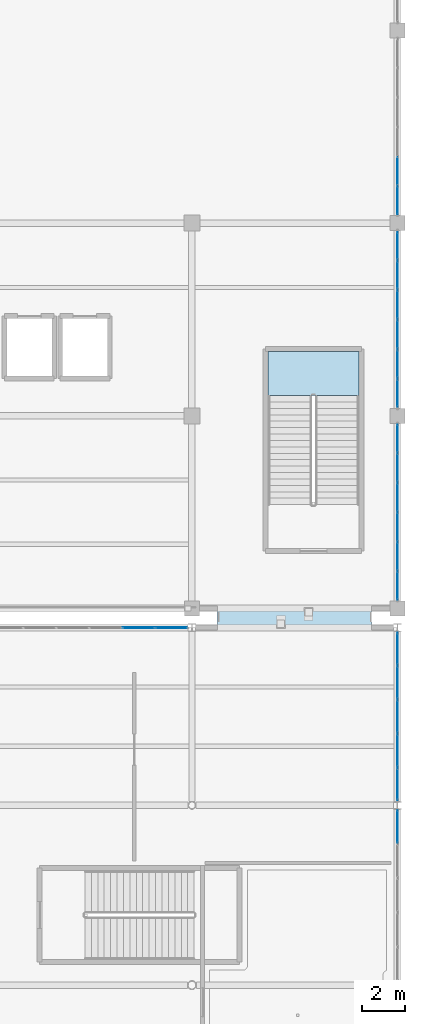
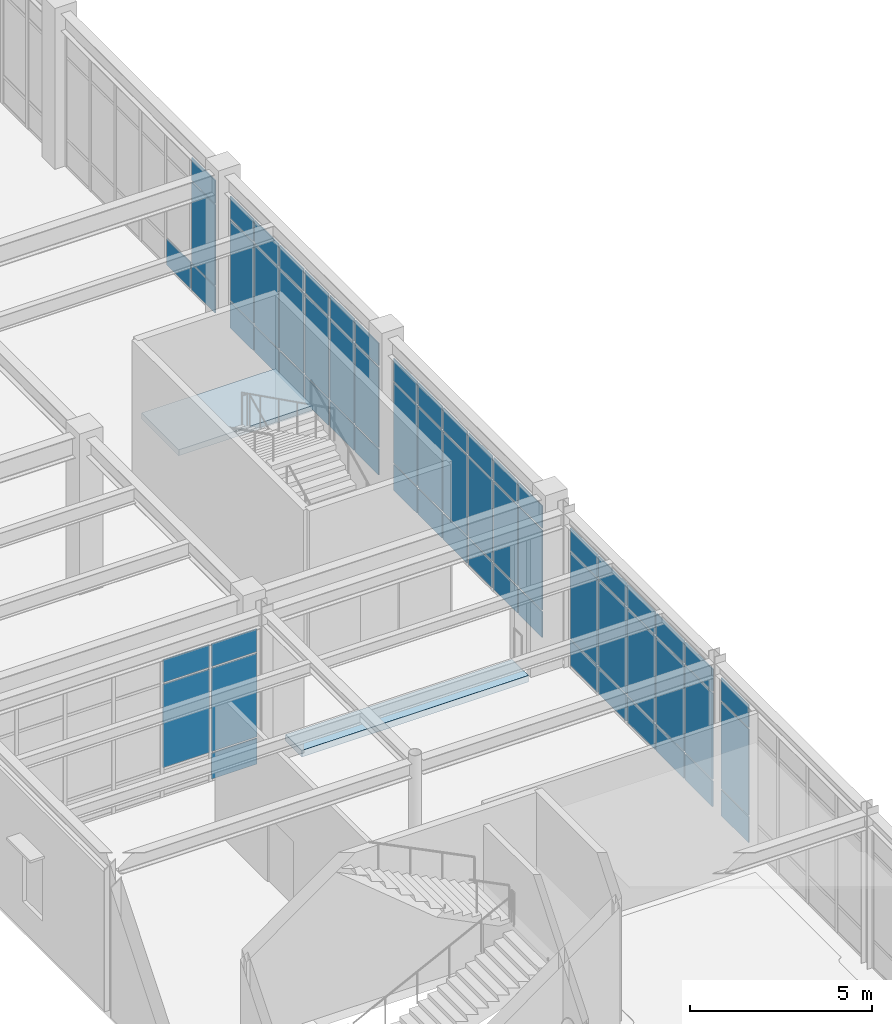
# One storey, part 58 of 80: 63 plates, 2 slabs, 7 elements without a shape of their own.
"""IFC4 building model written with IfcOpenShell, lengths in metres."""

from ifc_helpers import new_model, si_unit, direction, frame, origin, origin_2d, place, context, subcontext, project, spatial, polyline, rectangle, outline, extrude, material, layer, layer_set, type_object, element, aggregate, save


model = new_model("IFC4")

# Units and contexts
model_context = context("Model", 3, precision=1e-05, world=origin(), true_north=direction((0.0, 1.0)))
body_context = subcontext(model_context, "Body", "Model", "MODEL_VIEW")
ifc_project = project(units=[si_unit("LENGTHUNIT", "METRE"), si_unit("AREAUNIT", "SQUARE_METRE"), si_unit("VOLUMEUNIT", "CUBIC_METRE"), si_unit("PLANEANGLEUNIT", "RADIAN"), si_unit("MASSUNIT", "GRAM", prefix="KILO")], contexts=[model_context])

# Site, building, storey
site_placement = place(None, origin())
site = spatial("IfcSite", under=ifc_project, at=site_placement, CompositionType="ELEMENT")
building_placement = place(site_placement, origin())
building = spatial("IfcBuilding", under=site, at=building_placement, Name="Canglan Escarpment Cableway Terminal", CompositionType="ELEMENT")
storey_placement = place(building_placement, frame((0.0, 0.0, 19.199951171875)))
storey = spatial("IfcBuildingStorey", under=building, at=storey_placement, Name="L04", CompositionType="ELEMENT", Elevation=19.199951171875)

# Curtain wall, plates
ifc_material_1 = material(Name="Anodized bronze aluminium and Low-E double glazing", Category="aluminium")
curtain_wall_type_1 = type_object("IfcCurtainWallType", Name="CW-BAY-9250x4650", PredefinedType="NOTDEFINED", material=ifc_material_1)
curtain_wall_1_placement = place(storey_placement, origin())
curtain_wall_1 = element("IfcCurtainWall", 1, at=curtain_wall_1_placement, inside=storey, type_object=curtain_wall_type_1, Name="Classical bay-between-piers glazed curtain wall CW-36", PredefinedType="NOTDEFINED")
ifc_material_2 = material(Name="Double-silver Low-E laminated insulating glass", Category="glass")
ifc_layer_1 = layer(ifc_material_2, 0.028076171875, Name="Double-silver Low-E laminated insulating glass")
ifc_layer_set_1 = layer_set([ifc_layer_1], Name="Double-silver Low-E laminated insulating glass")
plate_type_1 = type_object("IfcPlateType", Name="CWP-02", PredefinedType="CURTAIN_PANEL", material=ifc_layer_set_1)
plate_1_placement = place(storey_placement, frame((155.839111328125, 33.10009765625, 0.05517578125), z_axis=(0.0, 0.0, 1.0), x_axis=(-1.0, 0.0, 0.0)))
plate_1 = element("IfcPlate", 2, at=plate_1_placement, type_object=plate_type_1, Name="CW-36 panel 1.1", PredefinedType="CURTAIN_PANEL", context=body_context, shape_type="SweptSolid", body=[
    extrude(rectangle(XDim=1.45166015625, YDim=0.028076171875, at=origin_2d()), origin(), (0.0, 0.0, 1.0), 0.867431640625),
])
plate_2_placement = place(storey_placement, frame((155.839111328125, 33.10009765625, 0.9775390625), z_axis=(0.0, 0.0, 1.0), x_axis=(-1.0, 0.0, 0.0)))
plate_2 = element("IfcPlate", 3, at=plate_2_placement, type_object=plate_type_1, Name="CW-36 panel 1.2", PredefinedType="CURTAIN_PANEL", context=body_context, shape_type="SweptSolid", body=[
    extrude(rectangle(XDim=1.45166015625, YDim=0.028076171875, at=origin_2d()), origin(), (0.0, 0.0, 1.0), 2.802001953125),
])
plate_3_placement = place(storey_placement, frame((155.839111328125, 33.10009765625, 3.83447265625), z_axis=(0.0, 0.0, 1.0), x_axis=(-1.0, 0.0, 0.0)))
plate_3 = element("IfcPlate", 4, at=plate_3_placement, type_object=plate_type_1, Name="CW-36 panel 1.3", PredefinedType="CURTAIN_PANEL", context=body_context, shape_type="SweptSolid", body=[
    extrude(rectangle(XDim=1.45166015625, YDim=0.028076171875, at=origin_2d()), origin(), (0.0, 0.0, 1.0), 0.767578125),
])
plate_4_placement = place(storey_placement, frame((154.3125, 33.10009765625, 0.9775390625), z_axis=(0.0, 0.0, 1.0), x_axis=(-1.0, 0.0, 0.0)))
plate_4 = element("IfcPlate", 5, at=plate_4_placement, type_object=plate_type_1, Name="CW-36 panel 2.2", PredefinedType="CURTAIN_PANEL", context=body_context, shape_type="SweptSolid", body=[
    extrude(rectangle(XDim=1.481689453125, YDim=0.028076171875, at=origin_2d()), origin(), (0.0, 0.0, 1.0), 2.802001953125),
])
plate_5_placement = place(storey_placement, frame((154.3125, 33.10009765625, 3.83447265625), z_axis=(0.0, 0.0, 1.0), x_axis=(-1.0, 0.0, 0.0)))
plate_5 = element("IfcPlate", 6, at=plate_5_placement, type_object=plate_type_1, Name="CW-36 panel 2.3", PredefinedType="CURTAIN_PANEL", context=body_context, shape_type="SweptSolid", body=[
    extrude(rectangle(XDim=1.481689453125, YDim=0.028076171875, at=origin_2d()), origin(), (0.0, 0.0, 1.0), 0.767578125),
])
aggregate(curtain_wall_1, [plate_1, plate_2, plate_3, plate_4, plate_5])

curtain_wall_type_2 = type_object("IfcCurtainWallType", Name="CW-BAY-8300x4550", PredefinedType="NOTDEFINED", material=ifc_material_1)
curtain_wall_2_placement = place(storey_placement, origin())
curtain_wall_2 = element("IfcCurtainWall", 7, at=curtain_wall_2_placement, inside=storey, type_object=curtain_wall_type_2, Name="Classical bay-between-piers glazed curtain wall CW-64", PredefinedType="NOTDEFINED")
plate_6_placement = place(storey_placement, frame((166.39990234375, 35.057861328125, 0.06005859375), z_axis=(0.0, 0.0, 1.0), x_axis=(0.0, 1.0, 0.0)))
plate_6 = element("IfcPlate", 8, at=plate_6_placement, type_object=plate_type_1, Name="CW-64 panel 1.1", PredefinedType="CURTAIN_PANEL", context=body_context, shape_type="SweptSolid", body=[
    extrude(rectangle(XDim=1.285888671875, YDim=0.028076171875, at=origin_2d()), origin(), (0.0, 0.0, 1.0), 0.860107421875),
])
plate_7_placement = place(storey_placement, frame((166.39990234375, 35.057861328125, 0.97998046875), z_axis=(0.0, 0.0, 1.0), x_axis=(0.0, 1.0, 0.0)))
plate_7 = element("IfcPlate", 9, at=plate_7_placement, type_object=plate_type_1, Name="CW-64 panel 1.2", PredefinedType="CURTAIN_PANEL", context=body_context, shape_type="SweptSolid", body=[
    extrude(rectangle(XDim=1.285888671875, YDim=0.028076171875, at=origin_2d()), origin(), (0.0, 0.0, 1.0), 2.69091796875),
])
plate_8_placement = place(storey_placement, frame((166.39990234375, 35.057861328125, 3.73095703125), z_axis=(0.0, 0.0, 1.0), x_axis=(0.0, 1.0, 0.0)))
plate_8 = element("IfcPlate", 10, at=plate_8_placement, type_object=plate_type_1, Name="CW-64 panel 1.3", PredefinedType="CURTAIN_PANEL", context=body_context, shape_type="SweptSolid", body=[
    extrude(rectangle(XDim=1.285888671875, YDim=0.028076171875, at=origin_2d()), origin(), (0.0, 0.0, 1.0), 0.760009765625),
])
plate_9_placement = place(storey_placement, frame((166.39990234375, 36.425048828125, 0.06005859375), z_axis=(0.0, 0.0, 1.0), x_axis=(0.0, 1.0, 0.0)))
plate_9 = element("IfcPlate", 11, at=plate_9_placement, type_object=plate_type_1, Name="CW-64 panel 2.1", PredefinedType="CURTAIN_PANEL", context=body_context, shape_type="SweptSolid", body=[
    extrude(rectangle(XDim=1.318359375, YDim=0.028076171875, at=origin_2d()), origin(), (0.0, 0.0, 1.0), 0.860107421875),
])
plate_10_placement = place(storey_placement, frame((166.39990234375, 36.425048828125, 0.97998046875), z_axis=(0.0, 0.0, 1.0), x_axis=(0.0, 1.0, 0.0)))
plate_10 = element("IfcPlate", 12, at=plate_10_placement, type_object=plate_type_1, Name="CW-64 panel 2.2", PredefinedType="CURTAIN_PANEL", context=body_context, shape_type="SweptSolid", body=[
    extrude(rectangle(XDim=1.318359375, YDim=0.028076171875, at=origin_2d()), origin(), (0.0, 0.0, 1.0), 2.69091796875),
])
plate_11_placement = place(storey_placement, frame((166.39990234375, 36.425048828125, 3.73095703125), z_axis=(0.0, 0.0, 1.0), x_axis=(0.0, 1.0, 0.0)))
plate_11 = element("IfcPlate", 13, at=plate_11_placement, type_object=plate_type_1, Name="CW-64 panel 2.3", PredefinedType="CURTAIN_PANEL", context=body_context, shape_type="SweptSolid", body=[
    extrude(rectangle(XDim=1.318359375, YDim=0.028076171875, at=origin_2d()), origin(), (0.0, 0.0, 1.0), 0.760009765625),
])
plate_12_placement = place(storey_placement, frame((166.39990234375, 37.808349609375, 0.06005859375), z_axis=(0.0, 0.0, 1.0), x_axis=(0.0, 1.0, 0.0)))
plate_12 = element("IfcPlate", 14, at=plate_12_placement, type_object=plate_type_1, Name="CW-64 panel 3.1", PredefinedType="CURTAIN_PANEL", context=body_context, shape_type="SweptSolid", body=[
    extrude(rectangle(XDim=1.318359375, YDim=0.028076171875, at=origin_2d()), origin(), (0.0, 0.0, 1.0), 0.860107421875),
])
plate_13_placement = place(storey_placement, frame((166.39990234375, 37.808349609375, 0.97998046875), z_axis=(0.0, 0.0, 1.0), x_axis=(0.0, 1.0, 0.0)))
plate_13 = element("IfcPlate", 15, at=plate_13_placement, type_object=plate_type_1, Name="CW-64 panel 3.2", PredefinedType="CURTAIN_PANEL", context=body_context, shape_type="SweptSolid", body=[
    extrude(rectangle(XDim=1.318359375, YDim=0.028076171875, at=origin_2d()), origin(), (0.0, 0.0, 1.0), 2.69091796875),
])
plate_14_placement = place(storey_placement, frame((166.39990234375, 37.808349609375, 3.73095703125), z_axis=(0.0, 0.0, 1.0), x_axis=(0.0, 1.0, 0.0)))
plate_14 = element("IfcPlate", 16, at=plate_14_placement, type_object=plate_type_1, Name="CW-64 panel 3.3", PredefinedType="CURTAIN_PANEL", context=body_context, shape_type="SweptSolid", body=[
    extrude(rectangle(XDim=1.318359375, YDim=0.028076171875, at=origin_2d()), origin(), (0.0, 0.0, 1.0), 0.760009765625),
])
plate_15_placement = place(storey_placement, frame((166.39990234375, 39.191650390625, 0.06005859375), z_axis=(0.0, 0.0, 1.0), x_axis=(0.0, 1.0, 0.0)))
plate_15 = element("IfcPlate", 17, at=plate_15_placement, type_object=plate_type_1, Name="CW-64 panel 4.1", PredefinedType="CURTAIN_PANEL", context=body_context, shape_type="SweptSolid", body=[
    extrude(rectangle(XDim=1.318359375, YDim=0.028076171875, at=origin_2d()), origin(), (0.0, 0.0, 1.0), 0.860107421875),
])
plate_16_placement = place(storey_placement, frame((166.39990234375, 39.191650390625, 0.97998046875), z_axis=(0.0, 0.0, 1.0), x_axis=(0.0, 1.0, 0.0)))
plate_16 = element("IfcPlate", 18, at=plate_16_placement, type_object=plate_type_1, Name="CW-64 panel 4.2", PredefinedType="CURTAIN_PANEL", context=body_context, shape_type="SweptSolid", body=[
    extrude(rectangle(XDim=1.318359375, YDim=0.028076171875, at=origin_2d()), origin(), (0.0, 0.0, 1.0), 2.69091796875),
])
plate_17_placement = place(storey_placement, frame((166.39990234375, 39.191650390625, 3.73095703125), z_axis=(0.0, 0.0, 1.0), x_axis=(0.0, 1.0, 0.0)))
plate_17 = element("IfcPlate", 19, at=plate_17_placement, type_object=plate_type_1, Name="CW-64 panel 4.3", PredefinedType="CURTAIN_PANEL", context=body_context, shape_type="SweptSolid", body=[
    extrude(rectangle(XDim=1.318359375, YDim=0.028076171875, at=origin_2d()), origin(), (0.0, 0.0, 1.0), 0.760009765625),
])
plate_18_placement = place(storey_placement, frame((166.39990234375, 40.574951171875, 0.06005859375), z_axis=(0.0, 0.0, 1.0), x_axis=(0.0, 1.0, 0.0)))
plate_18 = element("IfcPlate", 20, at=plate_18_placement, type_object=plate_type_1, Name="CW-64 panel 5.1", PredefinedType="CURTAIN_PANEL", context=body_context, shape_type="SweptSolid", body=[
    extrude(rectangle(XDim=1.318359375, YDim=0.028076171875, at=origin_2d()), origin(), (0.0, 0.0, 1.0), 0.860107421875),
])
plate_19_placement = place(storey_placement, frame((166.39990234375, 40.574951171875, 0.97998046875), z_axis=(0.0, 0.0, 1.0), x_axis=(0.0, 1.0, 0.0)))
plate_19 = element("IfcPlate", 21, at=plate_19_placement, type_object=plate_type_1, Name="CW-64 panel 5.2", PredefinedType="CURTAIN_PANEL", context=body_context, shape_type="SweptSolid", body=[
    extrude(rectangle(XDim=1.318359375, YDim=0.028076171875, at=origin_2d()), origin(), (0.0, 0.0, 1.0), 2.69091796875),
])
plate_20_placement = place(storey_placement, frame((166.39990234375, 40.574951171875, 3.73095703125), z_axis=(0.0, 0.0, 1.0), x_axis=(0.0, 1.0, 0.0)))
plate_20 = element("IfcPlate", 22, at=plate_20_placement, type_object=plate_type_1, Name="CW-64 panel 5.3", PredefinedType="CURTAIN_PANEL", context=body_context, shape_type="SweptSolid", body=[
    extrude(rectangle(XDim=1.318359375, YDim=0.028076171875, at=origin_2d()), origin(), (0.0, 0.0, 1.0), 0.760009765625),
])
plate_21_placement = place(storey_placement, frame((166.39990234375, 41.942138671875, 0.06005859375), z_axis=(0.0, 0.0, 1.0), x_axis=(0.0, 1.0, 0.0)))
plate_21 = element("IfcPlate", 23, at=plate_21_placement, type_object=plate_type_1, Name="CW-64 panel 6.1", PredefinedType="CURTAIN_PANEL", context=body_context, shape_type="SweptSolid", body=[
    extrude(rectangle(XDim=1.285888671875, YDim=0.028076171875, at=origin_2d()), origin(), (0.0, 0.0, 1.0), 0.860107421875),
])
plate_22_placement = place(storey_placement, frame((166.39990234375, 41.942138671875, 0.97998046875), z_axis=(0.0, 0.0, 1.0), x_axis=(0.0, 1.0, 0.0)))
plate_22 = element("IfcPlate", 24, at=plate_22_placement, type_object=plate_type_1, Name="CW-64 panel 6.2", PredefinedType="CURTAIN_PANEL", context=body_context, shape_type="SweptSolid", body=[
    extrude(rectangle(XDim=1.285888671875, YDim=0.028076171875, at=origin_2d()), origin(), (0.0, 0.0, 1.0), 2.69091796875),
])
plate_23_placement = place(storey_placement, frame((166.39990234375, 41.942138671875, 3.73095703125), z_axis=(0.0, 0.0, 1.0), x_axis=(0.0, 1.0, 0.0)))
plate_23 = element("IfcPlate", 25, at=plate_23_placement, type_object=plate_type_1, Name="CW-64 panel 6.3", PredefinedType="CURTAIN_PANEL", context=body_context, shape_type="SweptSolid", body=[
    extrude(rectangle(XDim=1.285888671875, YDim=0.028076171875, at=origin_2d()), origin(), (0.0, 0.0, 1.0), 0.760009765625),
])
aggregate(curtain_wall_2, [plate_6, plate_7, plate_8, plate_9, plate_10, plate_11, plate_12, plate_13, plate_14, plate_15, plate_16, plate_17, plate_18, plate_19, plate_20, plate_21, plate_22, plate_23])

curtain_wall_type_3 = type_object("IfcCurtainWallType", Name="CW-BAY-8050x4750", PredefinedType="NOTDEFINED", material=ifc_material_1)
curtain_wall_3_placement = place(storey_placement, origin())
curtain_wall_3 = element("IfcCurtainWall", 26, at=curtain_wall_3_placement, inside=storey, type_object=curtain_wall_type_3, Name="Classical bay-between-piers glazed curtain wall CW-34", PredefinedType="NOTDEFINED")
ifc_layer_2 = layer(ifc_material_2, 0.031982421875, Name="Double-silver Low-E laminated insulating glass")
ifc_layer_set_2 = layer_set([ifc_layer_2], Name="Double-silver Low-E laminated insulating glass")
plate_type_2 = type_object("IfcPlateType", Name="CWP-03", PredefinedType="CURTAIN_PANEL", material=ifc_layer_set_2)
plate_24_placement = place(storey_placement, frame((166.39990234375, 23.8037109375, 0.06005859375), z_axis=(0.0, 0.0, 1.0), x_axis=(0.0, 1.0, 0.0)))
plate_24 = element("IfcPlate", 27, at=plate_24_placement, type_object=plate_type_2, Name="CW-34 panel 5.1", PredefinedType="CURTAIN_PANEL", context=body_context, shape_type="SweptSolid", body=[
    extrude(rectangle(XDim=1.512451171875, YDim=0.031982421875, at=origin_2d()), origin(), (0.0, 0.0, 1.0), 0.860107421875),
])
plate_25_placement = place(storey_placement, frame((166.39990234375, 23.8037109375, 0.97998046875), z_axis=(0.0, 0.0, 1.0), x_axis=(0.0, 1.0, 0.0)))
plate_25 = element("IfcPlate", 28, at=plate_25_placement, type_object=plate_type_2, Name="CW-34 panel 5.2", PredefinedType="CURTAIN_PANEL", context=body_context, shape_type="SweptSolid", body=[
    extrude(rectangle(XDim=1.512451171875, YDim=0.031982421875, at=origin_2d()), origin(), (0.0, 0.0, 1.0), 2.89501953125),
])
plate_26_placement = place(storey_placement, frame((166.39990234375, 23.8037109375, 3.93505859375), z_axis=(0.0, 0.0, 1.0), x_axis=(0.0, 1.0, 0.0)))
plate_26 = element("IfcPlate", 29, at=plate_26_placement, type_object=plate_type_2, Name="CW-34 panel 5.3", PredefinedType="CURTAIN_PANEL", context=body_context, shape_type="SweptSolid", body=[
    extrude(rectangle(XDim=1.512451171875, YDim=0.031982421875, at=origin_2d()), origin(), (0.0, 0.0, 1.0), 0.760009765625),
])
aggregate(curtain_wall_3, [plate_24, plate_25, plate_26])

curtain_wall_4_placement = place(storey_placement, origin())
curtain_wall_4 = element("IfcCurtainWall", 30, at=curtain_wall_4_placement, inside=storey, type_object=curtain_wall_type_2, Name="Classical bay-between-piers glazed curtain wall CW-64", PredefinedType="NOTDEFINED")
plate_27_placement = place(storey_placement, frame((166.39990234375, 44.057861328125, 0.06494140625), z_axis=(0.0, 0.0, 1.0), x_axis=(0.0, 1.0, 0.0)))
plate_27 = element("IfcPlate", 31, at=plate_27_placement, type_object=plate_type_2, Name="CW-64 panel 1.1", PredefinedType="CURTAIN_PANEL", context=body_context, shape_type="SweptSolid", body=[
    extrude(rectangle(XDim=1.285888671875, YDim=0.031982421875, at=origin_2d()), origin(), (0.0, 0.0, 1.0), 0.8525390625),
])
plate_28_placement = place(storey_placement, frame((166.39990234375, 44.057861328125, 0.982421875), z_axis=(0.0, 0.0, 1.0), x_axis=(0.0, 1.0, 0.0)))
plate_28 = element("IfcPlate", 32, at=plate_28_placement, type_object=plate_type_2, Name="CW-64 panel 1.2", PredefinedType="CURTAIN_PANEL", context=body_context, shape_type="SweptSolid", body=[
    extrude(rectangle(XDim=1.285888671875, YDim=0.031982421875, at=origin_2d()), origin(), (0.0, 0.0, 1.0), 2.68603515625),
])
plate_29_placement = place(storey_placement, frame((166.39990234375, 44.057861328125, 3.733642578125), z_axis=(0.0, 0.0, 1.0), x_axis=(0.0, 1.0, 0.0)))
plate_29 = element("IfcPlate", 33, at=plate_29_placement, type_object=plate_type_2, Name="CW-64 panel 1.3", PredefinedType="CURTAIN_PANEL", context=body_context, shape_type="SweptSolid", body=[
    extrude(rectangle(XDim=1.285888671875, YDim=0.031982421875, at=origin_2d()), origin(), (0.0, 0.0, 1.0), 0.75244140625),
])
plate_30_placement = place(storey_placement, frame((166.39990234375, 45.425048828125, 0.06494140625), z_axis=(0.0, 0.0, 1.0), x_axis=(0.0, 1.0, 0.0)))
plate_30 = element("IfcPlate", 34, at=plate_30_placement, type_object=plate_type_2, Name="CW-64 panel 2.1", PredefinedType="CURTAIN_PANEL", context=body_context, shape_type="SweptSolid", body=[
    extrude(rectangle(XDim=1.318359375, YDim=0.031982421875, at=origin_2d()), origin(), (0.0, 0.0, 1.0), 0.8525390625),
])
plate_31_placement = place(storey_placement, frame((166.39990234375, 45.425048828125, 0.982421875), z_axis=(0.0, 0.0, 1.0), x_axis=(0.0, 1.0, 0.0)))
plate_31 = element("IfcPlate", 35, at=plate_31_placement, type_object=plate_type_2, Name="CW-64 panel 2.2", PredefinedType="CURTAIN_PANEL", context=body_context, shape_type="SweptSolid", body=[
    extrude(rectangle(XDim=1.318359375, YDim=0.031982421875, at=origin_2d()), origin(), (0.0, 0.0, 1.0), 2.68603515625),
])
plate_32_placement = place(storey_placement, frame((166.39990234375, 45.425048828125, 3.733642578125), z_axis=(0.0, 0.0, 1.0), x_axis=(0.0, 1.0, 0.0)))
plate_32 = element("IfcPlate", 36, at=plate_32_placement, type_object=plate_type_2, Name="CW-64 panel 2.3", PredefinedType="CURTAIN_PANEL", context=body_context, shape_type="SweptSolid", body=[
    extrude(rectangle(XDim=1.318359375, YDim=0.031982421875, at=origin_2d()), origin(), (0.0, 0.0, 1.0), 0.75244140625),
])
plate_33_placement = place(storey_placement, frame((166.39990234375, 46.808349609375, 0.06494140625), z_axis=(0.0, 0.0, 1.0), x_axis=(0.0, 1.0, 0.0)))
plate_33 = element("IfcPlate", 37, at=plate_33_placement, type_object=plate_type_2, Name="CW-64 panel 3.1", PredefinedType="CURTAIN_PANEL", context=body_context, shape_type="SweptSolid", body=[
    extrude(rectangle(XDim=1.318359375, YDim=0.031982421875, at=origin_2d()), origin(), (0.0, 0.0, 1.0), 0.8525390625),
])
plate_34_placement = place(storey_placement, frame((166.39990234375, 46.808349609375, 0.982421875), z_axis=(0.0, 0.0, 1.0), x_axis=(0.0, 1.0, 0.0)))
plate_34 = element("IfcPlate", 38, at=plate_34_placement, type_object=plate_type_2, Name="CW-64 panel 3.2", PredefinedType="CURTAIN_PANEL", context=body_context, shape_type="SweptSolid", body=[
    extrude(rectangle(XDim=1.318359375, YDim=0.031982421875, at=origin_2d()), origin(), (0.0, 0.0, 1.0), 2.68603515625),
])
plate_35_placement = place(storey_placement, frame((166.39990234375, 46.808349609375, 3.733642578125), z_axis=(0.0, 0.0, 1.0), x_axis=(0.0, 1.0, 0.0)))
plate_35 = element("IfcPlate", 39, at=plate_35_placement, type_object=plate_type_2, Name="CW-64 panel 3.3", PredefinedType="CURTAIN_PANEL", context=body_context, shape_type="SweptSolid", body=[
    extrude(rectangle(XDim=1.318359375, YDim=0.031982421875, at=origin_2d()), origin(), (0.0, 0.0, 1.0), 0.75244140625),
])
plate_36_placement = place(storey_placement, frame((166.39990234375, 48.191650390625, 0.06494140625), z_axis=(0.0, 0.0, 1.0), x_axis=(0.0, 1.0, 0.0)))
plate_36 = element("IfcPlate", 40, at=plate_36_placement, type_object=plate_type_2, Name="CW-64 panel 4.1", PredefinedType="CURTAIN_PANEL", context=body_context, shape_type="SweptSolid", body=[
    extrude(rectangle(XDim=1.318359375, YDim=0.031982421875, at=origin_2d()), origin(), (0.0, 0.0, 1.0), 0.8525390625),
])
plate_37_placement = place(storey_placement, frame((166.39990234375, 48.191650390625, 0.982421875), z_axis=(0.0, 0.0, 1.0), x_axis=(0.0, 1.0, 0.0)))
plate_37 = element("IfcPlate", 41, at=plate_37_placement, type_object=plate_type_2, Name="CW-64 panel 4.2", PredefinedType="CURTAIN_PANEL", context=body_context, shape_type="SweptSolid", body=[
    extrude(rectangle(XDim=1.318359375, YDim=0.031982421875, at=origin_2d()), origin(), (0.0, 0.0, 1.0), 2.68603515625),
])
plate_38_placement = place(storey_placement, frame((166.39990234375, 48.191650390625, 3.733642578125), z_axis=(0.0, 0.0, 1.0), x_axis=(0.0, 1.0, 0.0)))
plate_38 = element("IfcPlate", 42, at=plate_38_placement, type_object=plate_type_2, Name="CW-64 panel 4.3", PredefinedType="CURTAIN_PANEL", context=body_context, shape_type="SweptSolid", body=[
    extrude(rectangle(XDim=1.318359375, YDim=0.031982421875, at=origin_2d()), origin(), (0.0, 0.0, 1.0), 0.75244140625),
])
plate_39_placement = place(storey_placement, frame((166.39990234375, 49.574951171875, 0.06494140625), z_axis=(0.0, 0.0, 1.0), x_axis=(0.0, 1.0, 0.0)))
plate_39 = element("IfcPlate", 43, at=plate_39_placement, type_object=plate_type_2, Name="CW-64 panel 5.1", PredefinedType="CURTAIN_PANEL", context=body_context, shape_type="SweptSolid", body=[
    extrude(rectangle(XDim=1.318359375, YDim=0.031982421875, at=origin_2d()), origin(), (0.0, 0.0, 1.0), 0.8525390625),
])
plate_40_placement = place(storey_placement, frame((166.39990234375, 49.574951171875, 0.982421875), z_axis=(0.0, 0.0, 1.0), x_axis=(0.0, 1.0, 0.0)))
plate_40 = element("IfcPlate", 44, at=plate_40_placement, type_object=plate_type_2, Name="CW-64 panel 5.2", PredefinedType="CURTAIN_PANEL", context=body_context, shape_type="SweptSolid", body=[
    extrude(rectangle(XDim=1.318359375, YDim=0.031982421875, at=origin_2d()), origin(), (0.0, 0.0, 1.0), 2.68603515625),
])
plate_41_placement = place(storey_placement, frame((166.39990234375, 49.574951171875, 3.733642578125), z_axis=(0.0, 0.0, 1.0), x_axis=(0.0, 1.0, 0.0)))
plate_41 = element("IfcPlate", 45, at=plate_41_placement, type_object=plate_type_2, Name="CW-64 panel 5.3", PredefinedType="CURTAIN_PANEL", context=body_context, shape_type="SweptSolid", body=[
    extrude(rectangle(XDim=1.318359375, YDim=0.031982421875, at=origin_2d()), origin(), (0.0, 0.0, 1.0), 0.75244140625),
])
plate_42_placement = place(storey_placement, frame((166.39990234375, 50.942138671875, 0.06494140625), z_axis=(0.0, 0.0, 1.0), x_axis=(0.0, 1.0, 0.0)))
plate_42 = element("IfcPlate", 46, at=plate_42_placement, type_object=plate_type_2, Name="CW-64 panel 6.1", PredefinedType="CURTAIN_PANEL", context=body_context, shape_type="SweptSolid", body=[
    extrude(rectangle(XDim=1.285888671875, YDim=0.031982421875, at=origin_2d()), origin(), (0.0, 0.0, 1.0), 0.8525390625),
])
plate_43_placement = place(storey_placement, frame((166.39990234375, 50.942138671875, 0.982421875), z_axis=(0.0, 0.0, 1.0), x_axis=(0.0, 1.0, 0.0)))
plate_43 = element("IfcPlate", 47, at=plate_43_placement, type_object=plate_type_2, Name="CW-64 panel 6.2", PredefinedType="CURTAIN_PANEL", context=body_context, shape_type="SweptSolid", body=[
    extrude(rectangle(XDim=1.285888671875, YDim=0.031982421875, at=origin_2d()), origin(), (0.0, 0.0, 1.0), 2.68603515625),
])
plate_44_placement = place(storey_placement, frame((166.39990234375, 50.942138671875, 3.733642578125), z_axis=(0.0, 0.0, 1.0), x_axis=(0.0, 1.0, 0.0)))
plate_44 = element("IfcPlate", 48, at=plate_44_placement, type_object=plate_type_2, Name="CW-64 panel 6.3", PredefinedType="CURTAIN_PANEL", context=body_context, shape_type="SweptSolid", body=[
    extrude(rectangle(XDim=1.285888671875, YDim=0.031982421875, at=origin_2d()), origin(), (0.0, 0.0, 1.0), 0.75244140625),
])
aggregate(curtain_wall_4, [plate_27, plate_28, plate_29, plate_30, plate_31, plate_32, plate_33, plate_34, plate_35, plate_36, plate_37, plate_38, plate_39, plate_40, plate_41, plate_42, plate_43, plate_44])

curtain_wall_type_4 = type_object("IfcCurtainWallType", Name="CW-BAY-7950x4750", PredefinedType="NOTDEFINED", material=ifc_material_1)
curtain_wall_5_placement = place(storey_placement, origin())
curtain_wall_5 = element("IfcCurtainWall", 49, at=curtain_wall_5_placement, inside=storey, type_object=curtain_wall_type_4, Name="Classical bay-between-piers glazed curtain wall CW-35", PredefinedType="NOTDEFINED")
ifc_layer_3 = layer(ifc_material_2, 0.035888671875, Name="Double-silver Low-E laminated insulating glass")
ifc_layer_set_3 = layer_set([ifc_layer_3], Name="Double-silver Low-E laminated insulating glass")
plate_type_3 = type_object("IfcPlateType", Name="CWP-04", PredefinedType="CURTAIN_PANEL", material=ifc_layer_set_3)
plate_45_placement = place(storey_placement, frame((166.39990234375, 25.7861328125, 0.06494140625), z_axis=(0.0, 0.0, 1.0), x_axis=(0.0, 1.0, 0.0)))
plate_45 = element("IfcPlate", 50, at=plate_45_placement, type_object=plate_type_3, Name="CW-35 panel 1.1", PredefinedType="CURTAIN_PANEL", context=body_context, shape_type="SweptSolid", body=[
    extrude(rectangle(XDim=1.492431640625, YDim=0.035888671875, at=origin_2d()), origin(), (0.0, 0.0, 1.0), 0.8525390625),
])
plate_46_placement = place(storey_placement, frame((166.39990234375, 25.7861328125, 0.982421875), z_axis=(0.0, 0.0, 1.0), x_axis=(0.0, 1.0, 0.0)))
plate_46 = element("IfcPlate", 51, at=plate_46_placement, type_object=plate_type_3, Name="CW-35 panel 1.2", PredefinedType="CURTAIN_PANEL", context=body_context, shape_type="SweptSolid", body=[
    extrude(rectangle(XDim=1.492431640625, YDim=0.035888671875, at=origin_2d()), origin(), (0.0, 0.0, 1.0), 2.889892578125),
])
plate_47_placement = place(storey_placement, frame((166.39990234375, 25.7861328125, 3.9375), z_axis=(0.0, 0.0, 1.0), x_axis=(0.0, 1.0, 0.0)))
plate_47 = element("IfcPlate", 52, at=plate_47_placement, type_object=plate_type_3, Name="CW-35 panel 1.3", PredefinedType="CURTAIN_PANEL", context=body_context, shape_type="SweptSolid", body=[
    extrude(rectangle(XDim=1.492431640625, YDim=0.035888671875, at=origin_2d()), origin(), (0.0, 0.0, 1.0), 0.75244140625),
])
plate_48_placement = place(storey_placement, frame((166.39990234375, 27.360107421875, 0.06494140625), z_axis=(0.0, 0.0, 1.0), x_axis=(0.0, 1.0, 0.0)))
plate_48 = element("IfcPlate", 53, at=plate_48_placement, type_object=plate_type_3, Name="CW-35 panel 2.1", PredefinedType="CURTAIN_PANEL", context=body_context, shape_type="SweptSolid", body=[
    extrude(rectangle(XDim=1.52490234375, YDim=0.035888671875, at=origin_2d()), origin(), (0.0, 0.0, 1.0), 0.8525390625),
])
plate_49_placement = place(storey_placement, frame((166.39990234375, 27.360107421875, 0.982421875), z_axis=(0.0, 0.0, 1.0), x_axis=(0.0, 1.0, 0.0)))
plate_49 = element("IfcPlate", 54, at=plate_49_placement, type_object=plate_type_3, Name="CW-35 panel 2.2", PredefinedType="CURTAIN_PANEL", context=body_context, shape_type="SweptSolid", body=[
    extrude(rectangle(XDim=1.52490234375, YDim=0.035888671875, at=origin_2d()), origin(), (0.0, 0.0, 1.0), 2.889892578125),
])
plate_50_placement = place(storey_placement, frame((166.39990234375, 27.360107421875, 3.9375), z_axis=(0.0, 0.0, 1.0), x_axis=(0.0, 1.0, 0.0)))
plate_50 = element("IfcPlate", 55, at=plate_50_placement, type_object=plate_type_3, Name="CW-35 panel 2.3", PredefinedType="CURTAIN_PANEL", context=body_context, shape_type="SweptSolid", body=[
    extrude(rectangle(XDim=1.52490234375, YDim=0.035888671875, at=origin_2d()), origin(), (0.0, 0.0, 1.0), 0.75244140625),
])
plate_51_placement = place(storey_placement, frame((166.39990234375, 28.949951171875, 0.06494140625), z_axis=(0.0, 0.0, 1.0), x_axis=(0.0, 1.0, 0.0)))
plate_51 = element("IfcPlate", 56, at=plate_51_placement, type_object=plate_type_3, Name="CW-35 panel 3.1", PredefinedType="CURTAIN_PANEL", context=body_context, shape_type="SweptSolid", body=[
    extrude(rectangle(XDim=1.52490234375, YDim=0.035888671875, at=origin_2d()), origin(), (0.0, 0.0, 1.0), 0.8525390625),
])
plate_52_placement = place(storey_placement, frame((166.39990234375, 28.949951171875, 0.982421875), z_axis=(0.0, 0.0, 1.0), x_axis=(0.0, 1.0, 0.0)))
plate_52 = element("IfcPlate", 57, at=plate_52_placement, type_object=plate_type_3, Name="CW-35 panel 3.2", PredefinedType="CURTAIN_PANEL", context=body_context, shape_type="SweptSolid", body=[
    extrude(rectangle(XDim=1.52490234375, YDim=0.035888671875, at=origin_2d()), origin(), (0.0, 0.0, 1.0), 2.889892578125),
])
plate_53_placement = place(storey_placement, frame((166.39990234375, 28.949951171875, 3.9375), z_axis=(0.0, 0.0, 1.0), x_axis=(0.0, 1.0, 0.0)))
plate_53 = element("IfcPlate", 58, at=plate_53_placement, type_object=plate_type_3, Name="CW-35 panel 3.3", PredefinedType="CURTAIN_PANEL", context=body_context, shape_type="SweptSolid", body=[
    extrude(rectangle(XDim=1.52490234375, YDim=0.035888671875, at=origin_2d()), origin(), (0.0, 0.0, 1.0), 0.75244140625),
])
plate_54_placement = place(storey_placement, frame((166.39990234375, 30.5400390625, 0.06494140625), z_axis=(0.0, 0.0, 1.0), x_axis=(0.0, 1.0, 0.0)))
plate_54 = element("IfcPlate", 59, at=plate_54_placement, type_object=plate_type_3, Name="CW-35 panel 4.1", PredefinedType="CURTAIN_PANEL", context=body_context, shape_type="SweptSolid", body=[
    extrude(rectangle(XDim=1.52490234375, YDim=0.035888671875, at=origin_2d()), origin(), (0.0, 0.0, 1.0), 0.8525390625),
])
plate_55_placement = place(storey_placement, frame((166.39990234375, 30.5400390625, 0.982421875), z_axis=(0.0, 0.0, 1.0), x_axis=(0.0, 1.0, 0.0)))
plate_55 = element("IfcPlate", 60, at=plate_55_placement, type_object=plate_type_3, Name="CW-35 panel 4.2", PredefinedType="CURTAIN_PANEL", context=body_context, shape_type="SweptSolid", body=[
    extrude(rectangle(XDim=1.52490234375, YDim=0.035888671875, at=origin_2d()), origin(), (0.0, 0.0, 1.0), 2.889892578125),
])
plate_56_placement = place(storey_placement, frame((166.39990234375, 30.5400390625, 3.9375), z_axis=(0.0, 0.0, 1.0), x_axis=(0.0, 1.0, 0.0)))
plate_56 = element("IfcPlate", 61, at=plate_56_placement, type_object=plate_type_3, Name="CW-35 panel 4.3", PredefinedType="CURTAIN_PANEL", context=body_context, shape_type="SweptSolid", body=[
    extrude(rectangle(XDim=1.52490234375, YDim=0.035888671875, at=origin_2d()), origin(), (0.0, 0.0, 1.0), 0.75244140625),
])
plate_57_placement = place(storey_placement, frame((166.39990234375, 32.11376953125, 0.06494140625), z_axis=(0.0, 0.0, 1.0), x_axis=(0.0, 1.0, 0.0)))
plate_57 = element("IfcPlate", 62, at=plate_57_placement, type_object=plate_type_3, Name="CW-35 panel 5.1", PredefinedType="CURTAIN_PANEL", context=body_context, shape_type="SweptSolid", body=[
    extrude(rectangle(XDim=1.492431640625, YDim=0.035888671875, at=origin_2d()), origin(), (0.0, 0.0, 1.0), 0.8525390625),
])
plate_58_placement = place(storey_placement, frame((166.39990234375, 32.11376953125, 0.982421875), z_axis=(0.0, 0.0, 1.0), x_axis=(0.0, 1.0, 0.0)))
plate_58 = element("IfcPlate", 63, at=plate_58_placement, type_object=plate_type_3, Name="CW-35 panel 5.2", PredefinedType="CURTAIN_PANEL", context=body_context, shape_type="SweptSolid", body=[
    extrude(rectangle(XDim=1.492431640625, YDim=0.035888671875, at=origin_2d()), origin(), (0.0, 0.0, 1.0), 2.889892578125),
])
plate_59_placement = place(storey_placement, frame((166.39990234375, 32.11376953125, 3.9375), z_axis=(0.0, 0.0, 1.0), x_axis=(0.0, 1.0, 0.0)))
plate_59 = element("IfcPlate", 64, at=plate_59_placement, type_object=plate_type_3, Name="CW-35 panel 5.3", PredefinedType="CURTAIN_PANEL", context=body_context, shape_type="SweptSolid", body=[
    extrude(rectangle(XDim=1.492431640625, YDim=0.035888671875, at=origin_2d()), origin(), (0.0, 0.0, 1.0), 0.75244140625),
])
aggregate(curtain_wall_5, [plate_45, plate_46, plate_47, plate_48, plate_49, plate_50, plate_51, plate_52, plate_53, plate_54, plate_55, plate_56, plate_57, plate_58, plate_59])

curtain_wall_6_placement = place(storey_placement, origin())
curtain_wall_6 = element("IfcCurtainWall", 65, at=curtain_wall_6_placement, inside=storey, type_object=curtain_wall_type_2, Name="Classical bay-between-piers glazed curtain wall CW-64", PredefinedType="NOTDEFINED")
plate_60_placement = place(storey_placement, frame((166.39990234375, 53.056640625, 0.05517578125), z_axis=(0.0, 0.0, 1.0), x_axis=(0.0, 1.0, 0.0)))
plate_60 = element("IfcPlate", 66, at=plate_60_placement, type_object=plate_type_3, Name="CW-64 panel 1.1", PredefinedType="CURTAIN_PANEL", context=body_context, shape_type="SweptSolid", body=[
    extrude(rectangle(XDim=1.293212890625, YDim=0.035888671875, at=origin_2d()), origin(), (0.0, 0.0, 1.0), 0.867431640625),
])
plate_61_placement = place(storey_placement, frame((166.39990234375, 53.056640625, 0.9775390625), z_axis=(0.0, 0.0, 1.0), x_axis=(0.0, 1.0, 0.0)))
plate_61 = element("IfcPlate", 67, at=plate_61_placement, type_object=plate_type_3, Name="CW-64 panel 1.2", PredefinedType="CURTAIN_PANEL", context=body_context, shape_type="SweptSolid", body=[
    extrude(rectangle(XDim=1.293212890625, YDim=0.035888671875, at=origin_2d()), origin(), (0.0, 0.0, 1.0), 2.696044921875),
])
plate_62_placement = place(storey_placement, frame((166.39990234375, 53.056640625, 3.728515625), z_axis=(0.0, 0.0, 1.0), x_axis=(0.0, 1.0, 0.0)))
plate_62 = element("IfcPlate", 68, at=plate_62_placement, type_object=plate_type_3, Name="CW-64 panel 1.3", PredefinedType="CURTAIN_PANEL", context=body_context, shape_type="SweptSolid", body=[
    extrude(rectangle(XDim=1.293212890625, YDim=0.035888671875, at=origin_2d()), origin(), (0.0, 0.0, 1.0), 0.767578125),
])
plate_63_placement = place(storey_placement, frame((166.39990234375, 54.425048828125, 0.05517578125), z_axis=(0.0, 0.0, 1.0), x_axis=(0.0, 1.0, 0.0)))
plate_63 = element("IfcPlate", 69, at=plate_63_placement, type_object=plate_type_3, Name="CW-64 panel 2.1", PredefinedType="CURTAIN_PANEL", context=body_context, shape_type="SweptSolid", body=[
    extrude(rectangle(XDim=1.3232421875, YDim=0.035888671875, at=origin_2d()), origin(), (0.0, 0.0, 1.0), 0.867431640625),
])
aggregate(curtain_wall_6, [plate_60, plate_61, plate_62, plate_63])

# Slab
ifc_material_3 = material(Name="Concrete C40", Category="concrete")
ifc_layer_4 = layer(ifc_material_3, 0.219970703125, Name="Concrete C40")
ifc_layer_set_4 = layer_set([ifc_layer_4], Name="Concrete C40")
slab_type_1 = type_object("IfcSlabType", Name="SLB-LINK-220", PredefinedType="FLOOR", material=ifc_layer_set_4)
slab_1_placement = place(storey_placement, frame((0.0, 0.0, -0.219970703125)))
element("IfcSlab", 70, at=slab_1_placement, inside=storey, type_object=slab_type_1, Name="Movement-joint concourse link slab MJ-S1", PredefinedType="FLOOR", context=body_context, shape_type="SweptSolid", body=[
    extrude(outline(polyline([(165.199951171875, 33.10498046875), (158.0, 33.10498046875), (158.0, 33.9951171875), (165.199951171875, 33.9951171875), (165.199951171875, 33.10498046875)])), origin(), (0.0, 0.0, 1.0), 0.219970703125),
])

# Stair, slab
stair_type = type_object("IfcStairType", Name="STR-DOGLEG-2050", PredefinedType="HALF_TURN_STAIR", material=ifc_material_3)
stair_placement = place(storey_placement, origin())
stair = element("IfcStair", 71, at=stair_placement, inside=storey, type_object=stair_type, Name="L04 Protected Exit Stair ST-15", PredefinedType="HALF_TURN_STAIR")
ifc_layer_5 = layer(ifc_material_3, 0.199951171875, Name="Concrete C40")
ifc_layer_set_5 = layer_set([ifc_layer_5], Name="Concrete C40")
slab_type_2 = type_object("IfcSlabType", Name="SLB-STAIR-LAND-200", PredefinedType="LANDING", material=ifc_layer_set_5)
slab_2_placement = place(storey_placement, frame((0.0, 0.0, 2.5)))
slab_2 = element("IfcSlab", 72, at=slab_2_placement, type_object=slab_type_2, Name="ST-15 landing 1", PredefinedType="LANDING", context=body_context, shape_type="SweptSolid", body=[
    extrude(outline(polyline([(164.60009765625, 43.949951171875), (164.60009765625, 46.0), (160.35009765625, 46.0), (160.35009765625, 43.949951171875), (164.60009765625, 43.949951171875)])), origin(), (0.0, 0.0, 1.0), 0.199951171875),
])
aggregate(stair, [slab_2])

save(model, "model.ifc")
